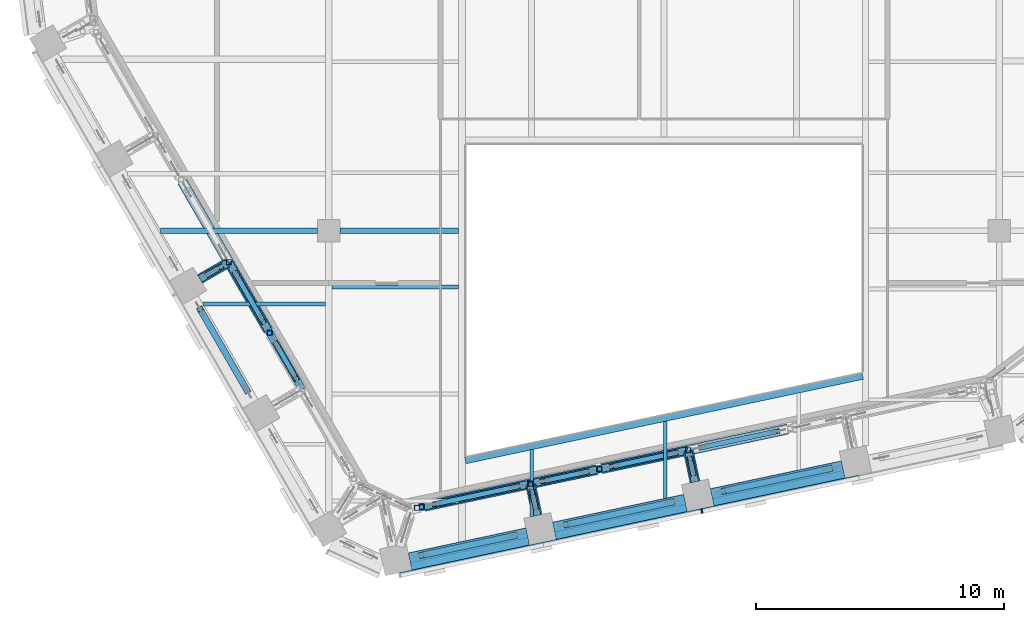
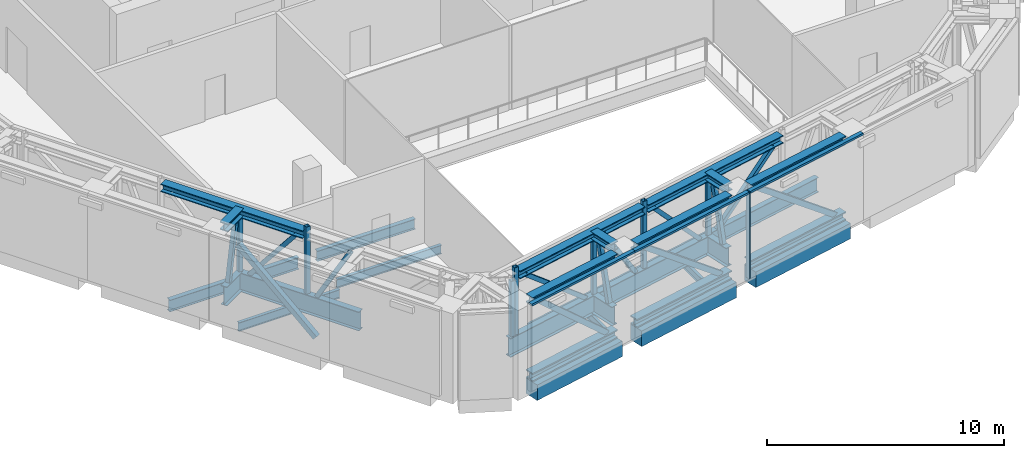
# One storey, part 3 of 25: 42 members, 10 beams, 1 element without a shape of its own.
"""IFC4 building model written with IfcOpenShell, lengths in metres."""

from ifc_helpers import new_model, si_unit, direction, frame, origin, origin_2d, place, context, subcontext, project, spatial, rectangle, hollow_rectangle, i_section, extrude, material, layer, layer_set, material_profile, profile_set, type_object, element, aggregate, save


model = new_model("IFC4")

# Units and contexts
model_context = context("Model", 3, precision=1e-05, world=origin(), true_north=direction((0.0, 1.0)))
body_context = subcontext(model_context, "Body", "Model", "MODEL_VIEW")
ifc_project = project(units=[si_unit("LENGTHUNIT", "METRE"), si_unit("AREAUNIT", "SQUARE_METRE"), si_unit("VOLUMEUNIT", "CUBIC_METRE"), si_unit("PLANEANGLEUNIT", "RADIAN"), si_unit("MASSUNIT", "GRAM", prefix="KILO")], contexts=[model_context])

# Site, building, storey
site_placement = place(None, origin())
site = spatial("IfcSite", under=ifc_project, at=site_placement, CompositionType="ELEMENT")
building_placement = place(site_placement, origin())
building = spatial("IfcBuilding", under=site, at=building_placement, Name="Isthmus Gate Tower", CompositionType="ELEMENT")
storey_placement = place(building_placement, frame((0.0, 0.0, 256.449951171875)))
storey = spatial("IfcBuildingStorey", under=building, at=storey_placement, Name="L65", CompositionType="ELEMENT", Elevation=256.449951171875)

# Members
ifc_material_1 = material(Name="Structural steel ASTM A913 Gr 65", Category="steel")
ifc_material_profile_1 = material_profile(ifc_material_1, i_section(OverallWidth=0.416015625, OverallDepth=0.444580078125, WebThickness=0.039794921875, FlangeThickness=0.0634765625, at=origin_2d()), Name="W14X342")
ifc_profile_set_1 = profile_set([ifc_material_profile_1], Name="Structural steel ASTM A913 Gr 65")
member_type_1 = type_object("IfcMemberType", Name="BELT TRUSS CHORD W14X342", PredefinedType="CHORD", material=ifc_profile_set_1)
for number, where, z_axis, x_axis, name in (
    (1, (7.182373046875, -22.962158203125, 0.222412109375), (-0.978146306063, -0.207917781671, 0.0), (0.207917781671, -0.978146306063, 0.0), "str-belt12-L65-01"),
    (2, (7.182373046875, -22.962158203125, 4.127685546875), (-0.978146306063, -0.207917781671, 0.0), (0.207917781671, -0.978146306063, 0.0), "str-belt12-L65-02"),
):
    element("IfcMember", number, at=place(storey_placement, frame(where, z_axis=z_axis, x_axis=x_axis)), inside=storey, type_object=member_type_1, Name=name, PredefinedType="CHORD", context=body_context, shape_type="SweptSolid", body=[
        extrude(i_section(OverallWidth=0.416015625, OverallDepth=0.444580078125, WebThickness=0.039794921875, FlangeThickness=0.0634765625, at=origin_2d()), origin(), (0.0, 0.0, 1.0), 5.39208984375),
    ])
for number, where, z_axis, x_axis, name in (
    (3, (0.832275390625, -24.31201171875, 0.222412109375), (-0.978155513612, -0.207874460167, 0.0), (0.207874460167, -0.978155513612, 0.0), "str-belt13-L65-01"),
    (4, (0.832275390625, -24.31201171875, 4.127685546875), (-0.978155513612, -0.207874460167, 0.0), (0.207874460167, -0.978155513612, 0.0), "str-belt13-L65-02"),
):
    element("IfcMember", number, at=place(storey_placement, frame(where, z_axis=z_axis, x_axis=x_axis)), inside=storey, type_object=member_type_1, Name=name, PredefinedType="CHORD", context=body_context, shape_type="SweptSolid", body=[
        extrude(i_section(OverallWidth=0.416015625, OverallDepth=0.444580078125, WebThickness=0.039794921875, FlangeThickness=0.0634765625, at=origin_2d()), origin(), (0.0, 0.0, 1.0), 5.391845703125),
    ])
for number, where, z_axis, x_axis, name in (
    (5, (-5.517822265625, -25.66162109375, 0.222412109375), (-0.978141291228, -0.207941372495, 0.0), (0.207941372495, -0.978141291228, 0.0), "str-belt14-L65-01"),
    (6, (-5.517822265625, -25.66162109375, 4.127685546875), (-0.978141291228, -0.207941372495, 0.0), (0.207941372495, -0.978141291228, 0.0), "str-belt14-L65-02"),
):
    element("IfcMember", number, at=place(storey_placement, frame(where, z_axis=z_axis, x_axis=x_axis)), inside=storey, type_object=member_type_1, Name=name, PredefinedType="CHORD", context=body_context, shape_type="SweptSolid", body=[
        extrude(i_section(OverallWidth=0.416015625, OverallDepth=0.444580078125, WebThickness=0.039794921875, FlangeThickness=0.0634765625, at=origin_2d()), origin(), (0.0, 0.0, 1.0), 4.842041015625),
    ])

# Curtain wall, members
ifc_material_2 = material(Name="Aluminium, pale champagne anodised", Category="aluminium")
ifc_layer = layer(ifc_material_2, 0.199951171875)
ifc_layer_set = layer_set([ifc_layer], Name="CW-2 LOUVRE CURTAIN WALL 200 DEEP")
curtain_wall_type = type_object("IfcCurtainWallType", Name="CW-2 LOUVRE CURTAIN WALL 200 DEEP", PredefinedType="NOTDEFINED", material=ifc_layer_set)
curtain_wall_placement = place(storey_placement, origin())
curtain_wall = element("IfcCurtainWall", 7, at=curtain_wall_placement, inside=storey, type_object=curtain_wall_type, Name="CW-2 S L65", PredefinedType="NOTDEFINED")
ifc_material_3 = material(Name="Aluminium, pale champagne anodised", Category="aluminium")
ifc_material_profile_2 = material_profile(ifc_material_3, rectangle(XDim=0.06005859375, YDim=0.199951171875, at=origin_2d()), Name="60x200")
ifc_profile_set_2 = profile_set([ifc_material_profile_2], Name="Aluminium, pale champagne anodised")
member_type_2 = type_object("IfcMemberType", Name="CW-2 MULLION 60 X 200", PredefinedType="MULLION", material=ifc_profile_set_2)
member_1_placement = place(storey_placement, frame((1.5244140625, -24.7783203125, 0.0), z_axis=(0.0, 0.0, 1.0), x_axis=(0.978147600734, 0.207911690818, 0.0)))
member_1 = element("IfcMember", 8, at=member_1_placement, type_object=member_type_2, Name="CW-2 mullion", PredefinedType="MULLION", context=body_context, shape_type="SweptSolid", body=[
    extrude(rectangle(XDim=0.06005859375, YDim=0.199951171875, at=origin_2d()), origin(), (0.0, 0.0, 1.0), 4.5),
])
ifc_material_4 = material(Name="Aluminium, pale champagne anodised", Category="aluminium")
ifc_material_profile_3 = material_profile(ifc_material_4, rectangle(XDim=0.199951171875, YDim=0.10009765625, at=origin_2d()), Name="200x100")
ifc_profile_set_3 = profile_set([ifc_material_profile_3], Name="Aluminium, pale champagne anodised")
member_type_3 = type_object("IfcMemberType", Name="CW-2 TRANSOM 200 X 100", PredefinedType="USERDEFINED", material=ifc_profile_set_3)
member_2_placement = place(storey_placement, frame((-10.6083984375, -27.357177734375, 4.449951171875), z_axis=(0.978148511799, 0.207907404549, 0.0), x_axis=(-0.207907404549, 0.978148511799, 0.0)))
member_2 = element("IfcMember", 9, at=member_2_placement, type_object=member_type_3, Name="CW-2 transom", ObjectType="TRANSOM", PredefinedType="USERDEFINED", context=body_context, shape_type="SweptSolid", body=[
    extrude(rectangle(XDim=0.199951171875, YDim=0.10009765625, at=origin_2d()), origin(), (0.0, 0.0, 1.0), 5.8818359375),
])
member_3_placement = place(storey_placement, frame((-4.85498046875, -26.13427734375, 4.449951171875), z_axis=(0.978142886198, 0.207933869729, 0.0), x_axis=(-0.207933869729, 0.978142886198, 0.0)))
member_3 = element("IfcMember", 10, at=member_3_placement, type_object=member_type_3, Name="CW-2 transom", ObjectType="TRANSOM", PredefinedType="USERDEFINED", context=body_context, shape_type="SweptSolid", body=[
    extrude(rectangle(XDim=0.199951171875, YDim=0.10009765625, at=origin_2d()), origin(), (0.0, 0.0, 1.0), 6.49169921875),
])
member_4_placement = place(storey_placement, frame((1.5537109375, -24.77197265625, 4.449951171875), z_axis=(0.978150457162, 0.207898251926, 0.0), x_axis=(-0.207898251926, 0.978150457162, 0.0)))
member_4 = element("IfcMember", 11, at=member_4_placement, type_object=member_type_3, Name="CW-2 transom", ObjectType="TRANSOM", PredefinedType="USERDEFINED", context=body_context, shape_type="SweptSolid", body=[
    extrude(rectangle(XDim=0.199951171875, YDim=0.10009765625, at=origin_2d()), origin(), (0.0, 0.0, 1.0), 6.431884765625),
])
aggregate(curtain_wall, [member_2, member_3, member_1, member_4])

# Beams
ifc_material_5 = material(Name="Concrete f'c 50 MPa", Category="concrete")
ifc_material_profile_4 = material_profile(ifc_material_5, rectangle(XDim=0.699951171875, YDim=0.800048828125, at=origin_2d()), Name="RC 700X800")
ifc_profile_set_4 = profile_set([ifc_material_profile_4], Name="Concrete f'c 50 MPa")
beam_type_1 = type_object("IfcBeamType", Name="RC SPANDREL 700 X 800", PredefinedType="SPANDREL", material=ifc_profile_set_4)
for number, where, z_axis, x_axis, name in (
    (12, (7.21337890625, -23.10888671875, -0.39990234375), (-0.978144348563, -0.207926990492, 0.0), (0.207926990492, -0.978144348563, 0.0), "str-spandrel-L65-12"),
    (13, (0.863525390625, -24.458740234375, -0.39990234375), (-0.978155513612, -0.207874460167, 0.0), (0.207874460167, -0.978155513612, 0.0), "str-spandrel-L65-13"),
):
    element("IfcBeam", number, at=place(storey_placement, frame(where, z_axis=z_axis, x_axis=x_axis)), inside=storey, type_object=beam_type_1, Name=name, PredefinedType="SPANDREL", context=body_context, shape_type="SweptSolid", body=[
        extrude(rectangle(XDim=0.699951171875, YDim=0.800048828125, at=origin_2d()), origin(), (0.0, 0.0, 1.0), 5.391845703125),
    ])
beam_1_placement = place(storey_placement, frame((-5.486572265625, -25.808349609375, -0.39990234375), z_axis=(-0.978141291228, -0.207941372495, 0.0), x_axis=(0.207941372495, -0.978141291228, 0.0)))
element("IfcBeam", 14, at=beam_1_placement, inside=storey, type_object=beam_type_1, Name="str-spandrel-L65-14", PredefinedType="SPANDREL", context=body_context, shape_type="SweptSolid", body=[
    extrude(rectangle(XDim=0.699951171875, YDim=0.800048828125, at=origin_2d()), origin(), (0.0, 0.0, 1.0), 4.842041015625),
])
ifc_material_6 = material(Name="Structural steel ASTM A992 Gr 50", Category="steel")
ifc_material_profile_5 = material_profile(ifc_material_6, i_section(OverallWidth=0.1396484375, OverallDepth=0.4033203125, WebThickness=0.00634765625, FlangeThickness=0.010986328125, at=origin_2d()), Name="W16X31")
ifc_profile_set_5 = profile_set([ifc_material_profile_5], Name="Structural steel ASTM A992 Gr 50")
beam_type_2 = type_object("IfcBeamType", Name="STEEL FLOOR BEAM W16X31", PredefinedType="JOIST", material=ifc_profile_set_5)
beam_2_placement = place(storey_placement, frame((-5.314208984375, -25.005126953125, -0.50146484375), z_axis=(0.0, 1.0, 0.0), x_axis=(-1.0, 0.0, 0.0)))
element("IfcBeam", 15, at=beam_2_placement, inside=storey, type_object=beam_type_2, Name="str-beam-L65-06-00", PredefinedType="JOIST", context=body_context, shape_type="SweptSolid", body=[
    extrude(i_section(OverallWidth=0.1396484375, OverallDepth=0.4033203125, WebThickness=0.00634765625, FlangeThickness=0.010986328125, at=origin_2d()), origin(), (0.0, 0.0, 1.0), 2.692138671875),
])
beam_3_placement = place(storey_placement, frame((0.05712890625, -24.272216796875, -0.50146484375), z_axis=(0.0, 1.0, 0.0), x_axis=(-1.0, 0.0, 0.0)))
element("IfcBeam", 16, at=beam_3_placement, inside=storey, type_object=beam_type_2, Name="str-beam-L65-06-01", PredefinedType="JOIST", context=body_context, shape_type="SweptSolid", body=[
    extrude(i_section(OverallWidth=0.1396484375, OverallDepth=0.4033203125, WebThickness=0.00634765625, FlangeThickness=0.010986328125, at=origin_2d()), origin(), (0.0, 0.0, 1.0), 3.10107421875),
])
ifc_material_7 = material(Name="Structural steel ASTM A992 Gr 50", Category="steel")
ifc_material_profile_6 = material_profile(ifc_material_7, i_section(OverallWidth=0.15234375, OverallDepth=0.45068359375, WebThickness=0.0078125, FlangeThickness=0.010986328125, at=origin_2d()), Name="W18X35")
ifc_profile_set_6 = profile_set([ifc_material_profile_6], Name="Structural steel ASTM A992 Gr 50")
beam_type_3 = type_object("IfcBeamType", Name="STEEL FLOOR BEAM W18X35", PredefinedType="JOIST", material=ifc_profile_set_6)
beam_4_placement = place(storey_placement, frame((-18.56640625, -16.44189453125, -0.525390625), z_axis=(1.0, 0.0, 0.0), x_axis=(0.0, 1.0, 0.0)))
element("IfcBeam", 17, at=beam_4_placement, inside=storey, type_object=beam_type_3, Name="str-beam-L65-02-01", PredefinedType="JOIST", context=body_context, shape_type="SweptSolid", body=[
    extrude(i_section(OverallWidth=0.15234375, OverallDepth=0.45068359375, WebThickness=0.0078125, FlangeThickness=0.010986328125, at=origin_2d()), origin(), (0.0, 0.0, 1.0), 4.939453125),
])
beam_5_placement = place(storey_placement, frame((-13.373046875, -15.759033203125, -0.525390625), z_axis=(1.0, 0.0, 0.0), x_axis=(0.0, 1.0, 0.0)))
element("IfcBeam", 18, at=beam_5_placement, inside=storey, type_object=beam_type_3, Name="str-beam-L65-04-02", PredefinedType="JOIST", context=body_context, shape_type="SweptSolid", body=[
    extrude(i_section(OverallWidth=0.15234375, OverallDepth=0.45068359375, WebThickness=0.0078125, FlangeThickness=0.010986328125, at=origin_2d()), origin(), (0.0, 0.0, 1.0), 5.109619140625),
])
ifc_material_8 = material(Name="Structural steel ASTM A992 Gr 50", Category="steel")
ifc_material_profile_7 = material_profile(ifc_material_8, i_section(OverallWidth=0.20947265625, OverallDepth=0.533447265625, WebThickness=0.009521484375, FlangeThickness=0.015869140625, at=origin_2d()), Name="W21X62")
ifc_profile_set_7 = profile_set([ifc_material_profile_7], Name="Structural steel ASTM A992 Gr 50")
beam_type_4 = type_object("IfcBeamType", Name="STEEL GIRDER W21X62", PredefinedType="BEAM", material=ifc_profile_set_7)
beam_6_placement = place(storey_placement, frame((-13.050048828125, -13.5, -0.566650390625), z_axis=(1.0, 0.0, 0.0), x_axis=(0.0, 1.0, 0.0)))
element("IfcBeam", 19, at=beam_6_placement, inside=storey, type_object=beam_type_4, Name="str-girder-L65-02", PredefinedType="BEAM", context=body_context, shape_type="SweptSolid", body=[
    extrude(i_section(OverallWidth=0.20947265625, OverallDepth=0.533447265625, WebThickness=0.009521484375, FlangeThickness=0.015869140625, at=origin_2d()), origin(), (0.0, 0.0, 1.0), 4.78662109375),
])
ifc_material_9 = material(Name="Structural steel ASTM A992 Gr 50", Category="steel")
ifc_material_profile_8 = material_profile(ifc_material_9, i_section(OverallWidth=0.228515625, OverallDepth=0.603271484375, WebThickness=0.010986328125, FlangeThickness=0.014404296875, at=origin_2d()), Name="W24X68")
ifc_profile_set_8 = profile_set([ifc_material_profile_8], Name="Structural steel ASTM A992 Gr 50")
beam_type_5 = type_object("IfcBeamType", Name="STEEL GIRDER W24X68", PredefinedType="BEAM", material=ifc_profile_set_8)
beam_7_placement = place(storey_placement, frame((-20.264892578125, -13.5, -0.6015625), z_axis=(1.0, 0.0, 0.0), x_axis=(0.0, 1.0, 0.0)))
element("IfcBeam", 20, at=beam_7_placement, inside=storey, type_object=beam_type_5, Name="str-girder-L65-01", PredefinedType="BEAM", context=body_context, shape_type="SweptSolid", body=[
    extrude(i_section(OverallWidth=0.228515625, OverallDepth=0.603271484375, WebThickness=0.010986328125, FlangeThickness=0.014404296875, at=origin_2d()), origin(), (0.0, 0.0, 1.0), 6.31494140625),
])
ifc_material_10 = material(Name="Structural steel ASTM A992 Gr 50", Category="steel")
ifc_material_profile_9 = material_profile(ifc_material_10, i_section(OverallWidth=0.2666015625, OverallDepth=0.7587890625, WebThickness=0.014404296875, FlangeThickness=0.01904296875, at=origin_2d()), Name="W30X108")
ifc_profile_set_9 = profile_set([ifc_material_profile_9], Name="Structural steel ASTM A992 Gr 50")
beam_type_6 = type_object("IfcBeamType", Name="STEEL TRIMMER W30X108", PredefinedType="BEAM", material=ifc_profile_set_9)
beam_8_placement = place(storey_placement, frame((-8.0, -22.747314453125, -0.679443359375), z_axis=(0.978147924985, 0.20791016533, 0.0), x_axis=(-0.20791016533, 0.978147924985, 0.0)))
element("IfcBeam", 21, at=beam_8_placement, inside=storey, type_object=beam_type_6, Name="str-trimmer-L65-03", PredefinedType="BEAM", context=body_context, shape_type="SweptSolid", body=[
    extrude(i_section(OverallWidth=0.2666015625, OverallDepth=0.7587890625, WebThickness=0.014404296875, FlangeThickness=0.01904296875, at=origin_2d()), origin(), (0.0, 0.0, 1.0), 16.357421875),
])

# Members
ifc_material_11 = material(Name="Structural steel ASTM A913 Gr 65", Category="steel")
ifc_material_profile_10 = material_profile(ifc_material_11, i_section(OverallWidth=0.4033203125, OverallDepth=0.406494140625, WebThickness=0.027099609375, FlangeThickness=0.04443359375, at=origin_2d()), Name="W14X233")
ifc_profile_set_10 = profile_set([ifc_material_profile_10], Name="Structural steel ASTM A913 Gr 65")
member_type_4 = type_object("IfcMemberType", Name="TRANSFER TRUSS CHORD W14X233", PredefinedType="CHORD", material=ifc_profile_set_10)
member_5_placement = place(storey_placement, frame((4.980224609375, -21.4814453125, 4.046875), z_axis=(-0.978147905386, -0.207910257535, 0.0), x_axis=(0.207910257535, -0.978147905386, 0.0)))
element("IfcMember", 22, at=member_5_placement, inside=storey, type_object=member_type_4, Name="str-ring05-L65-16", PredefinedType="CHORD", context=body_context, shape_type="SweptSolid", body=[
    extrude(i_section(OverallWidth=0.4033203125, OverallDepth=0.406494140625, WebThickness=0.027099609375, FlangeThickness=0.04443359375, at=origin_2d()), origin(), (0.0, 0.0, 1.0), 7.65380859375),
])
member_6_placement = place(storey_placement, frame((-2.705078125, -23.114990234375, 4.046875), z_axis=(-0.978151600593, -0.20789287207, 0.0), x_axis=(0.20789287207, -0.978151600593, 0.0)))
element("IfcMember", 23, at=member_6_placement, inside=storey, type_object=member_type_4, Name="str-ring05-L65-17", PredefinedType="CHORD", context=body_context, shape_type="SweptSolid", body=[
    extrude(i_section(OverallWidth=0.4033203125, OverallDepth=0.406494140625, WebThickness=0.027099609375, FlangeThickness=0.04443359375, at=origin_2d()), origin(), (0.0, 0.0, 1.0), 7.103759765625),
])
member_7_placement = place(storey_placement, frame((-15.9248046875, -17.517333984375, 4.046875), z_axis=(-0.499987696546, 0.86603250707, 0.0), x_axis=(-0.86603250707, -0.499987696546, 0.0)))
element("IfcMember", 24, at=member_7_placement, inside=storey, type_object=member_type_4, Name="str-ring07-L65-16", PredefinedType="CHORD", context=body_context, shape_type="SweptSolid", body=[
    extrude(i_section(OverallWidth=0.4033203125, OverallDepth=0.406494140625, WebThickness=0.027099609375, FlangeThickness=0.04443359375, at=origin_2d()), origin(), (0.0, 0.0, 1.0), 6.931884765625),
])
member_8_placement = place(storey_placement, frame((-18.682861328125, -15.440185546875, 4.046875), z_axis=(0.865974735705, 0.50008774942, 0.0), x_axis=(-0.50008774942, 0.865974735705, 0.0)))
element("IfcMember", 25, at=member_8_placement, inside=storey, type_object=member_type_4, Name="str-link12-L65-02", PredefinedType="CHORD", context=body_context, shape_type="SweptSolid", body=[
    extrude(i_section(OverallWidth=0.4033203125, OverallDepth=0.406494140625, WebThickness=0.027099609375, FlangeThickness=0.04443359375, at=origin_2d()), origin(), (0.0, 0.0, 1.0), 1.349853515625),
])
member_9_placement = place(storey_placement, frame((-5.1044921875, -24.96044921875, 4.046875), z_axis=(-0.207997328155, 0.978129394038, 0.0), x_axis=(-0.978129394038, -0.207997328155, 0.0)))
element("IfcMember", 26, at=member_9_placement, inside=storey, type_object=member_type_4, Name="str-link16-L65-02", PredefinedType="CHORD", context=body_context, shape_type="SweptSolid", body=[
    extrude(i_section(OverallWidth=0.4033203125, OverallDepth=0.406494140625, WebThickness=0.027099609375, FlangeThickness=0.04443359375, at=origin_2d()), origin(), (0.0, 0.0, 1.0), 1.306396484375),
])
member_10_placement = place(storey_placement, frame((1.245361328125, -23.610595703125, 4.046875), z_axis=(-0.207856520253, 0.978159325973, 0.0), x_axis=(-0.978159325973, -0.207856520253, 0.0)))
element("IfcMember", 27, at=member_10_placement, inside=storey, type_object=member_type_4, Name="str-link17-L65-02", PredefinedType="CHORD", context=body_context, shape_type="SweptSolid", body=[
    extrude(i_section(OverallWidth=0.4033203125, OverallDepth=0.406494140625, WebThickness=0.027099609375, FlangeThickness=0.04443359375, at=origin_2d()), origin(), (0.0, 0.0, 1.0), 1.30615234375),
])
ifc_material_12 = material(Name="Structural steel ASTM A913 Gr 65", Category="steel")
ifc_material_profile_11 = material_profile(ifc_material_12, i_section(OverallWidth=0.29833984375, OverallDepth=0.981201171875, WebThickness=0.015869140625, FlangeThickness=0.025390625, at=origin_2d()), Name="W40X167")
ifc_profile_set_11 = profile_set([ifc_material_profile_11], Name="Structural steel ASTM A913 Gr 65")
member_type_5 = type_object("IfcMemberType", Name="TRANSFER TRUSS CHORD W40X167", PredefinedType="CHORD", material=ifc_profile_set_11)
member_11_placement = place(storey_placement, frame((0.974365234375, -22.332763671875, 0.490478515625), z_axis=(-0.97814451214, -0.207926220977, 0.0), x_axis=(0.207926220977, -0.97814451214, 0.0)))
element("IfcMember", 28, at=member_11_placement, inside=storey, type_object=member_type_5, Name="str-ring05-L65-12", PredefinedType="CHORD", context=body_context, shape_type="SweptSolid", body=[
    extrude(i_section(OverallWidth=0.29833984375, OverallDepth=0.981201171875, WebThickness=0.015869140625, FlangeThickness=0.025390625, at=origin_2d()), origin(), (0.0, 0.0, 1.0), 6.491943359375),
])
member_12_placement = place(storey_placement, frame((-5.375732421875, -23.6826171875, 0.490478515625), z_axis=(-0.978154268725, -0.207880317913, 0.0), x_axis=(0.207880317913, -0.978154268725, 0.0)))
element("IfcMember", 29, at=member_12_placement, inside=storey, type_object=member_type_5, Name="str-ring05-L65-13", PredefinedType="CHORD", context=body_context, shape_type="SweptSolid", body=[
    extrude(i_section(OverallWidth=0.29833984375, OverallDepth=0.981201171875, WebThickness=0.015869140625, FlangeThickness=0.025390625, at=origin_2d()), origin(), (0.0, 0.0, 1.0), 4.875),
])
member_13_placement = place(storey_placement, frame((-14.55859375, -19.8837890625, 0.490478515625), z_axis=(-0.499990610615, 0.866030824681, 0.0), x_axis=(-0.866030824681, -0.499990610615, 0.0)))
element("IfcMember", 30, at=member_13_placement, inside=storey, type_object=member_type_5, Name="str-ring07-L65-11", PredefinedType="CHORD", context=body_context, shape_type="SweptSolid", body=[
    extrude(i_section(OverallWidth=0.29833984375, OverallDepth=0.981201171875, WebThickness=0.015869140625, FlangeThickness=0.025390625, at=origin_2d()), origin(), (0.0, 0.0, 1.0), 5.91064453125),
])
member_14_placement = place(storey_placement, frame((-18.682861328125, -15.440185546875, 0.490478515625), z_axis=(0.865974735705, 0.50008774942, 0.0), x_axis=(-0.50008774942, 0.865974735705, 0.0)))
element("IfcMember", 31, at=member_14_placement, inside=storey, type_object=member_type_5, Name="str-link12-L65-01", PredefinedType="CHORD", context=body_context, shape_type="SweptSolid", body=[
    extrude(i_section(OverallWidth=0.29833984375, OverallDepth=0.981201171875, WebThickness=0.015869140625, FlangeThickness=0.025390625, at=origin_2d()), origin(), (0.0, 0.0, 1.0), 1.349853515625),
])
member_15_placement = place(storey_placement, frame((-5.1044921875, -24.96044921875, 0.490478515625), z_axis=(-0.207997328155, 0.978129394038, 0.0), x_axis=(-0.978129394038, -0.207997328155, 0.0)))
element("IfcMember", 32, at=member_15_placement, inside=storey, type_object=member_type_5, Name="str-link16-L65-01", PredefinedType="CHORD", context=body_context, shape_type="SweptSolid", body=[
    extrude(i_section(OverallWidth=0.29833984375, OverallDepth=0.981201171875, WebThickness=0.015869140625, FlangeThickness=0.025390625, at=origin_2d()), origin(), (0.0, 0.0, 1.0), 1.306396484375),
])
member_16_placement = place(storey_placement, frame((1.245361328125, -23.610595703125, 0.490478515625), z_axis=(-0.207856520253, 0.978159325973, 0.0), x_axis=(-0.978159325973, -0.207856520253, 0.0)))
element("IfcMember", 33, at=member_16_placement, inside=storey, type_object=member_type_5, Name="str-link17-L65-01", PredefinedType="CHORD", context=body_context, shape_type="SweptSolid", body=[
    extrude(i_section(OverallWidth=0.29833984375, OverallDepth=0.981201171875, WebThickness=0.015869140625, FlangeThickness=0.025390625, at=origin_2d()), origin(), (0.0, 0.0, 1.0), 1.30615234375),
])
ifc_material_13 = material(Name="Structural steel ASTM A500 Gr C", Category="steel")
ifc_material_profile_12 = material_profile(ifc_material_13, hollow_rectangle(XDim=0.203125, YDim=0.203125, WallThickness=0.01171875, at=origin_2d()), Name="HSS8X8X1/2")
ifc_profile_set_12 = profile_set([ifc_material_profile_12], Name="Structural steel ASTM A500 Gr C")
member_type_6 = type_object("IfcMemberType", Name="TRANSFER TRUSS DIAGONAL HSS8X8X1/2", PredefinedType="BRACE", material=ifc_profile_set_12)
member_17_placement = place(storey_placement, frame((1.46337890625, -22.22900390625, 0.981201171875), z_axis=(0.728724734326, 0.154915875679, 0.667054220468), x_axis=(-0.2079382126, 0.978141962979, 0.0)))
element("IfcMember", 34, at=member_17_placement, inside=storey, type_object=member_type_6, Name="str-ring05-L65-21", PredefinedType="BRACE", context=body_context, shape_type="SweptSolid", body=[
    extrude(hollow_rectangle(XDim=0.203125, YDim=0.203125, WallThickness=0.01171875, at=origin_2d()), origin(), (0.0, 0.0, 1.0), 4.291259765625),
])
member_18_placement = place(storey_placement, frame((0.4853515625, -22.436767578125, 0.981201171875), z_axis=(-0.665866488502, -0.141507562062, 0.732528108246), x_axis=(0.207874122793, -0.97815558531, 0.0)))
element("IfcMember", 35, at=member_18_placement, inside=storey, type_object=member_type_6, Name="str-ring05-L65-22", PredefinedType="BRACE", context=body_context, shape_type="SweptSolid", body=[
    extrude(hollow_rectangle(XDim=0.203125, YDim=0.203125, WallThickness=0.01171875, at=origin_2d()), origin(), (0.0, 0.0, 1.0), 3.90771484375),
])
member_19_placement = place(storey_placement, frame((-3.0947265625, -23.19775390625, 0.981201171875), z_axis=(-0.527273782275, -0.11206363765, 0.842273174001), x_axis=(0.207890632098, -0.978152076666, 0.0)))
element("IfcMember", 36, at=member_19_placement, inside=storey, type_object=member_type_6, Name="str-ring05-L65-23", PredefinedType="BRACE", context=body_context, shape_type="SweptSolid", body=[
    extrude(hollow_rectangle(XDim=0.203125, YDim=0.203125, WallThickness=0.01171875, at=origin_2d()), origin(), (0.0, 0.0, 1.0), 3.398681640625),
])
member_20_placement = place(storey_placement, frame((-5.864990234375, -23.78662109375, 0.981201171875), z_axis=(-0.754967184738, -0.160461708062, 0.635827484633), x_axis=(0.207897409328, -0.978150636249, 0.0)))
element("IfcMember", 37, at=member_20_placement, inside=storey, type_object=member_type_6, Name="str-ring05-L65-24", PredefinedType="BRACE", context=body_context, shape_type="SweptSolid", body=[
    extrude(hollow_rectangle(XDim=0.203125, YDim=0.203125, WallThickness=0.01171875, at=origin_2d()), origin(), (0.0, 0.0, 1.0), 4.502197265625),
])
member_21_placement = place(storey_placement, frame((-15.6240234375, -18.038330078125, 0.981201171875), z_axis=(0.247503153628, -0.428758457154, 0.86885463362), x_axis=(0.866060962434, 0.499938405553, 0.0)))
element("IfcMember", 38, at=member_21_placement, inside=storey, type_object=member_type_6, Name="str-ring07-L65-20", PredefinedType="BRACE", context=body_context, shape_type="SweptSolid", body=[
    extrude(hollow_rectangle(XDim=0.203125, YDim=0.203125, WallThickness=0.01171875, at=origin_2d()), origin(), (0.0, 0.0, 1.0), 3.294677734375),
])
member_22_placement = place(storey_placement, frame((-17.263916015625, -15.19775390625, 0.981201171875), z_axis=(0.311480672031, -0.53957071651, 0.782204086435), x_axis=(0.866053638543, 0.499951092774, 0.0)))
element("IfcMember", 39, at=member_22_placement, inside=storey, type_object=member_type_6, Name="str-ring07-L65-21", PredefinedType="BRACE", context=body_context, shape_type="SweptSolid", body=[
    extrude(hollow_rectangle(XDim=0.203125, YDim=0.203125, WallThickness=0.01171875, at=origin_2d()), origin(), (0.0, 0.0, 1.0), 3.65966796875),
])
for number, where, z_axis, x_axis, name in (
    (40, (-18.358154296875, -15.252685546875, 0.981201171875), (0.177633064455, 0.102589772658, 0.978734812377), (-0.50012165622, 0.865955154139, 0.0), "str-link12-L65-03"),
    (41, (-5.177978515625, -24.614990234375, 0.981201171875), (-0.042655083545, 0.200670882273, 0.978729656675), (-0.978146440129, -0.207917150959, 0.0), "str-link16-L65-03"),
    (42, (1.172119140625, -23.265380859375, 0.981201171875), (-0.042655083545, 0.200670882273, 0.978729656675), (-0.978146440129, -0.207917150959, 0.0), "str-link17-L65-03"),
):
    element("IfcMember", number, at=place(storey_placement, frame(where, z_axis=z_axis, x_axis=x_axis)), inside=storey, type_object=member_type_6, Name=name, PredefinedType="BRACE", context=body_context, shape_type="SweptSolid", body=[
        extrude(hollow_rectangle(XDim=0.203125, YDim=0.203125, WallThickness=0.01171875, at=origin_2d()), origin(), (0.0, 0.0, 1.0), 2.9248046875),
    ])
ifc_material_14 = material(Name="Structural steel ASTM A500 Gr C", Category="steel")
ifc_material_profile_13 = material_profile(ifc_material_14, hollow_rectangle(XDim=0.203125, YDim=0.203125, WallThickness=0.01171875, at=origin_2d()), Name="HSS8X8X1/2")
ifc_profile_set_13 = profile_set([ifc_material_profile_13], Name="Structural steel ASTM A500 Gr C")
member_type_7 = type_object("IfcMemberType", Name="TRANSFER TRUSS POST HSS8X8X1/2", PredefinedType="POST", material=ifc_profile_set_13)
member_23_placement = place(storey_placement, frame((0.974365234375, -22.332763671875, 0.981201171875), z_axis=(0.0, 0.0, 1.0), x_axis=(1.0, 0.0, 0.0)))
element("IfcMember", 43, at=member_23_placement, inside=storey, type_object=member_type_7, Name="str-ring05-L65-05", PredefinedType="POST", context=body_context, shape_type="SweptSolid", body=[
    extrude(hollow_rectangle(XDim=0.203125, YDim=0.203125, WallThickness=0.01171875, at=origin_2d()), origin(), (0.0, 0.0, 1.0), 2.862548828125),
])
member_24_placement = place(storey_placement, frame((-2.605712890625, -23.09375, 0.981201171875), z_axis=(0.0, 0.0, 1.0), x_axis=(1.0, 0.0, 0.0)))
element("IfcMember", 44, at=member_24_placement, inside=storey, type_object=member_type_7, Name="str-ring05-L65-06", PredefinedType="POST", context=body_context, shape_type="SweptSolid", body=[
    extrude(hollow_rectangle(XDim=0.203125, YDim=0.203125, WallThickness=0.01171875, at=origin_2d()), origin(), (0.0, 0.0, 1.0), 3.46875),
])
member_25_placement = place(storey_placement, frame((-5.375732421875, -23.6826171875, 0.981201171875), z_axis=(0.0, 0.0, 1.0), x_axis=(1.0, 0.0, 0.0)))
element("IfcMember", 45, at=member_25_placement, inside=storey, type_object=member_type_7, Name="str-ring05-L65-07", PredefinedType="POST", context=body_context, shape_type="SweptSolid", body=[
    extrude(hollow_rectangle(XDim=0.203125, YDim=0.203125, WallThickness=0.01171875, at=origin_2d()), origin(), (0.0, 0.0, 1.0), 2.862548828125),
])
member_26_placement = place(storey_placement, frame((-9.7529296875, -24.613037109375, 0.981201171875), z_axis=(0.0, 0.0, 1.0), x_axis=(1.0, 0.0, 0.0)))
element("IfcMember", 46, at=member_26_placement, inside=storey, type_object=member_type_7, Name="str-ring05-L65-08", PredefinedType="POST", context=body_context, shape_type="SweptSolid", body=[
    extrude(hollow_rectangle(XDim=0.203125, YDim=0.203125, WallThickness=0.01171875, at=origin_2d()), origin(), (0.0, 0.0, 1.0), 3.46875),
])
member_27_placement = place(storey_placement, frame((-9.94873046875, -24.654541015625, 0.981201171875), z_axis=(0.0, 0.0, 1.0), x_axis=(1.0, 0.0, 0.0)))
element("IfcMember", 47, at=member_27_placement, inside=storey, type_object=member_type_7, Name="str-ring05-L65-09", PredefinedType="POST", context=body_context, shape_type="SweptSolid", body=[
    extrude(hollow_rectangle(XDim=0.203125, YDim=0.203125, WallThickness=0.01171875, at=origin_2d()), origin(), (0.0, 0.0, 1.0), 2.862548828125),
])
member_28_placement = place(storey_placement, frame((-15.8740234375, -17.60546875, 0.981201171875), z_axis=(0.0, 0.0, 1.0), x_axis=(1.0, 0.0, 0.0)))
element("IfcMember", 48, at=member_28_placement, inside=storey, type_object=member_type_7, Name="str-ring07-L65-04", PredefinedType="POST", context=body_context, shape_type="SweptSolid", body=[
    extrude(hollow_rectangle(XDim=0.203125, YDim=0.203125, WallThickness=0.01171875, at=origin_2d()), origin(), (0.0, 0.0, 1.0), 3.46875),
])
member_29_placement = place(storey_placement, frame((-17.513916015625, -14.764892578125, 0.981201171875), z_axis=(0.0, 0.0, 1.0), x_axis=(1.0, 0.0, 0.0)))
element("IfcMember", 49, at=member_29_placement, inside=storey, type_object=member_type_7, Name="str-ring07-L65-05", PredefinedType="POST", context=body_context, shape_type="SweptSolid", body=[
    extrude(hollow_rectangle(XDim=0.203125, YDim=0.203125, WallThickness=0.01171875, at=origin_2d()), origin(), (0.0, 0.0, 1.0), 2.862548828125),
])
ifc_material_15 = material(Name="Structural steel ASTM A500 Gr C", Category="steel")
ifc_material_profile_14 = material_profile(ifc_material_15, hollow_rectangle(XDim=0.25390625, YDim=0.25390625, WallThickness=0.01171875, at=origin_2d()), Name="HSS10X10X1/2")
ifc_profile_set_14 = profile_set([ifc_material_profile_14], Name="Structural steel ASTM A500 Gr C")
member_type_8 = type_object("IfcMemberType", Name="TRUSS DIAGONAL HSS10X10X1/2", PredefinedType="BRACE", material=ifc_profile_set_14)
member_30_placement = place(storey_placement, frame((6.693115234375, -23.066162109375, 0.444580078125), z_axis=(-0.768270168896, -0.163294523282, 0.618947369531), x_axis=(0.207903965012, -0.978149242873, 0.0)))
element("IfcMember", 50, at=member_30_placement, inside=storey, type_object=member_type_8, Name="str-belt12-L65-03", PredefinedType="BRACE", context=body_context, shape_type="SweptSolid", body=[
    extrude(hollow_rectangle(XDim=0.25390625, YDim=0.25390625, WallThickness=0.01171875, at=origin_2d()), origin(), (0.0, 0.0, 1.0), 5.591552734375),
])
member_31_placement = place(storey_placement, frame((0.34326171875, -24.415771484375, 0.444580078125), z_axis=(-0.768264690682, -0.163337020223, 0.618942956076), x_axis=(0.20795715059, -0.978137936857, 0.0)))
element("IfcMember", 51, at=member_31_placement, inside=storey, type_object=member_type_8, Name="str-belt13-L65-03", PredefinedType="BRACE", context=body_context, shape_type="SweptSolid", body=[
    extrude(hollow_rectangle(XDim=0.25390625, YDim=0.25390625, WallThickness=0.01171875, at=origin_2d()), origin(), (0.0, 0.0, 1.0), 5.591796875),
])
member_32_placement = place(storey_placement, frame((-6.0068359375, -25.765625, 0.444580078125), z_axis=(-0.726756760381, -0.154482434871, 0.669297981886), x_axis=(0.207918794828, -0.978146090703, 0.0)))
element("IfcMember", 52, at=member_32_placement, inside=storey, type_object=member_type_8, Name="str-belt14-L65-03", PredefinedType="BRACE", context=body_context, shape_type="SweptSolid", body=[
    extrude(hollow_rectangle(XDim=0.25390625, YDim=0.25390625, WallThickness=0.01171875, at=origin_2d()), origin(), (0.0, 0.0, 1.0), 5.1708984375),
])
member_33_placement = place(storey_placement, frame((-16.772216796875, -19.949462890625, 0.444580078125), z_axis=(-0.370123663103, 0.641076570241, 0.672331246559), x_axis=(-0.866026613056, -0.499997905474, 0.0)))
element("IfcMember", 53, at=member_33_placement, inside=storey, type_object=member_type_8, Name="str-belt17-L65-03", PredefinedType="BRACE", context=body_context, shape_type="SweptSolid", body=[
    extrude(hollow_rectangle(XDim=0.25390625, YDim=0.25390625, WallThickness=0.01171875, at=origin_2d()), origin(), (0.0, 0.0, 1.0), 5.147705078125),
])

save(model, "model.ifc")
